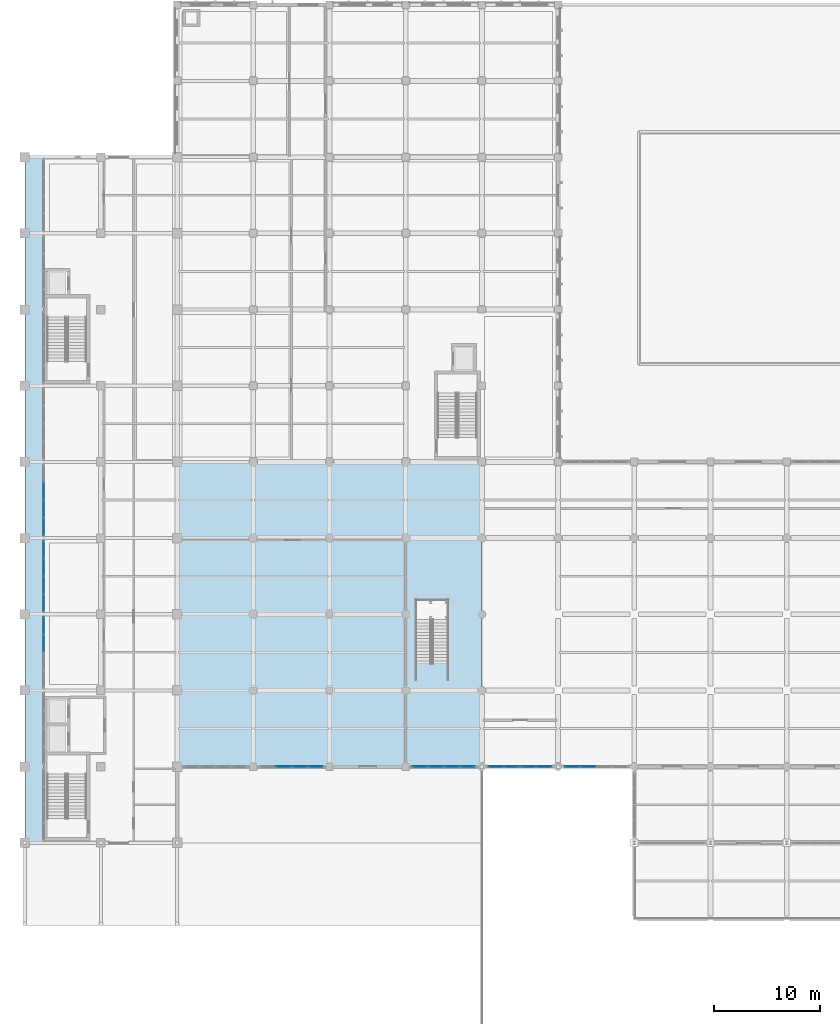
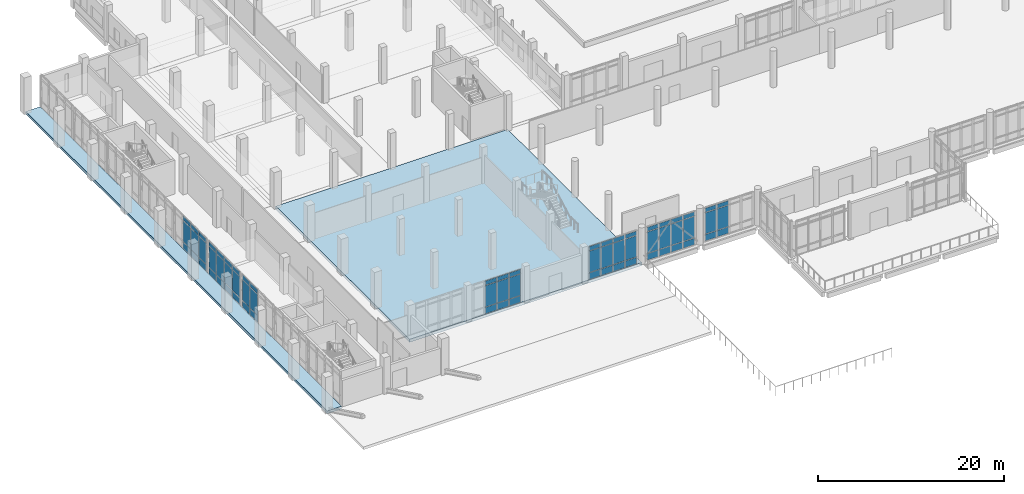
# One storey, part 28 of 59: 66 plates, 2 slabs, 7 elements without a shape of their own.
"""IFC4 building model written with IfcOpenShell, lengths in metres."""

from ifc_helpers import new_model, si_unit, direction, frame, origin, origin_2d, place, context, subcontext, project, spatial, polyline, rectangle, outline, extrude, material, layer, layer_set, type_object, element, aggregate, save


model = new_model("IFC4")

# Units and contexts
model_context = context("Model", 3, precision=1e-05, world=origin(), true_north=direction((0.0, 1.0)))
body_context = subcontext(model_context, "Body", "Model", "MODEL_VIEW")
ifc_project = project(units=[si_unit("LENGTHUNIT", "METRE"), si_unit("AREAUNIT", "SQUARE_METRE"), si_unit("VOLUMEUNIT", "CUBIC_METRE"), si_unit("PLANEANGLEUNIT", "RADIAN"), si_unit("MASSUNIT", "GRAM", prefix="KILO")], contexts=[model_context])

# Site, building, storey
site_placement = place(None, origin())
site = spatial("IfcSite", under=ifc_project, at=site_placement, CompositionType="ELEMENT")
building_placement = place(site_placement, origin())
building = spatial("IfcBuilding", under=site, at=building_placement, Name="Valkovuoma Quantum and Materials Research Institute", CompositionType="ELEMENT")
storey_placement = place(building_placement, origin())
storey = spatial("IfcBuildingStorey", under=building, at=storey_placement, Name="L00", CompositionType="ELEMENT", Elevation=0.0)

# Curtain wall, plates
ifc_material_1 = material(Name="Thermally broken aluminium and triple low-E glazing", Category="aluminium")
ifc_layer_1 = layer(ifc_material_1, 0.219970703125)
ifc_layer_set_1 = layer_set([ifc_layer_1], Name="Thermally broken aluminium and triple low-E glazing")
curtain_wall_type_1 = type_object("IfcCurtainWallType", Name="CW-CW-03", PredefinedType="NOTDEFINED", material=ifc_layer_set_1)
curtain_wall_1_placement = place(storey_placement, origin())
curtain_wall_1 = element("IfcCurtainWall", 1, at=curtain_wall_1_placement, inside=storey, type_object=curtain_wall_type_1, Name="L00 curtain wall 002", PredefinedType="NOTDEFINED")
ifc_material_2 = material(Name="Triple low-E argon insulating glass", Category="glass")
ifc_layer_2 = layer(ifc_material_2, 0.035888671875)
ifc_layer_set_2 = layer_set([ifc_layer_2], Name="Triple low-E argon insulating glass")
plate_type_1 = type_object("IfcPlateType", Name="CWPanel-CWP-01", PredefinedType="CURTAIN_PANEL", material=ifc_layer_set_2)
plate_1_placement = place(storey_placement, frame((1.800048828125, 47.64990234375, 0.06494140625), z_axis=(0.0, 0.0, 1.0), x_axis=(0.0, 1.0, 0.0)))
plate_1 = element("IfcPlate", 2, at=plate_1_placement, type_object=plate_type_1, Name="CW-03 panel 3.1", PredefinedType="CURTAIN_PANEL", context=body_context, shape_type="SweptSolid", body=[
    extrude(rectangle(XDim=1.625, YDim=0.035888671875, at=origin_2d()), origin(), (0.0, 0.0, 1.0), 0.8525390625),
])
plate_2_placement = place(storey_placement, frame((1.800048828125, 47.64990234375, 0.982421875), z_axis=(0.0, 0.0, 1.0), x_axis=(0.0, 1.0, 0.0)))
plate_2 = element("IfcPlate", 3, at=plate_2_placement, type_object=plate_type_1, Name="CW-03 panel 3.2", PredefinedType="CURTAIN_PANEL", context=body_context, shape_type="SweptSolid", body=[
    extrude(rectangle(XDim=1.625, YDim=0.035888671875, at=origin_2d()), origin(), (0.0, 0.0, 1.0), 2.735107421875),
])
plate_3_placement = place(storey_placement, frame((1.800048828125, 47.64990234375, 3.78271484375), z_axis=(0.0, 0.0, 1.0), x_axis=(0.0, 1.0, 0.0)))
plate_3 = element("IfcPlate", 4, at=plate_3_placement, type_object=plate_type_1, Name="CW-03 panel 3.3", PredefinedType="CURTAIN_PANEL", context=body_context, shape_type="SweptSolid", body=[
    extrude(rectangle(XDim=1.625, YDim=0.035888671875, at=origin_2d()), origin(), (0.0, 0.0, 1.0), 0.552490234375),
])
plate_4_placement = place(storey_placement, frame((1.800048828125, 49.331298828125, 0.06494140625), z_axis=(0.0, 0.0, 1.0), x_axis=(0.0, 1.0, 0.0)))
plate_4 = element("IfcPlate", 5, at=plate_4_placement, type_object=plate_type_1, Name="CW-03 panel 4.1", PredefinedType="CURTAIN_PANEL", context=body_context, shape_type="SweptSolid", body=[
    extrude(rectangle(XDim=1.58740234375, YDim=0.035888671875, at=origin_2d()), origin(), (0.0, 0.0, 1.0), 0.8525390625),
])
plate_5_placement = place(storey_placement, frame((1.800048828125, 49.331298828125, 0.982421875), z_axis=(0.0, 0.0, 1.0), x_axis=(0.0, 1.0, 0.0)))
plate_5 = element("IfcPlate", 6, at=plate_5_placement, type_object=plate_type_1, Name="CW-03 panel 4.2", PredefinedType="CURTAIN_PANEL", context=body_context, shape_type="SweptSolid", body=[
    extrude(rectangle(XDim=1.58740234375, YDim=0.035888671875, at=origin_2d()), origin(), (0.0, 0.0, 1.0), 2.735107421875),
])
plate_6_placement = place(storey_placement, frame((1.800048828125, 49.331298828125, 3.78271484375), z_axis=(0.0, 0.0, 1.0), x_axis=(0.0, 1.0, 0.0)))
plate_6 = element("IfcPlate", 7, at=plate_6_placement, type_object=plate_type_1, Name="CW-03 panel 4.3", PredefinedType="CURTAIN_PANEL", context=body_context, shape_type="SweptSolid", body=[
    extrude(rectangle(XDim=1.58740234375, YDim=0.035888671875, at=origin_2d()), origin(), (0.0, 0.0, 1.0), 0.552490234375),
])
aggregate(curtain_wall_1, [plate_1, plate_2, plate_3, plate_4, plate_5, plate_6])

curtain_wall_2_placement = place(storey_placement, origin())
curtain_wall_2 = element("IfcCurtainWall", 8, at=curtain_wall_2_placement, inside=storey, type_object=curtain_wall_type_1, Name="L00 curtain wall 003", PredefinedType="NOTDEFINED")
plate_7_placement = place(storey_placement, frame((1.800048828125, 51.46875, 0.06494140625), z_axis=(0.0, 0.0, 1.0), x_axis=(0.0, 1.0, 0.0)))
plate_7 = element("IfcPlate", 9, at=plate_7_placement, type_object=plate_type_1, Name="CW-03 panel 1.1", PredefinedType="CURTAIN_PANEL", context=body_context, shape_type="SweptSolid", body=[
    extrude(rectangle(XDim=1.58740234375, YDim=0.035888671875, at=origin_2d()), origin(), (0.0, 0.0, 1.0), 0.8525390625),
])
plate_8_placement = place(storey_placement, frame((1.800048828125, 51.46875, 0.982421875), z_axis=(0.0, 0.0, 1.0), x_axis=(0.0, 1.0, 0.0)))
plate_8 = element("IfcPlate", 10, at=plate_8_placement, type_object=plate_type_1, Name="CW-03 panel 1.2", PredefinedType="CURTAIN_PANEL", context=body_context, shape_type="SweptSolid", body=[
    extrude(rectangle(XDim=1.58740234375, YDim=0.035888671875, at=origin_2d()), origin(), (0.0, 0.0, 1.0), 2.735107421875),
])
plate_9_placement = place(storey_placement, frame((1.800048828125, 51.46875, 3.78271484375), z_axis=(0.0, 0.0, 1.0), x_axis=(0.0, 1.0, 0.0)))
plate_9 = element("IfcPlate", 11, at=plate_9_placement, type_object=plate_type_1, Name="CW-03 panel 1.3", PredefinedType="CURTAIN_PANEL", context=body_context, shape_type="SweptSolid", body=[
    extrude(rectangle(XDim=1.58740234375, YDim=0.035888671875, at=origin_2d()), origin(), (0.0, 0.0, 1.0), 0.552490234375),
])
plate_10_placement = place(storey_placement, frame((1.800048828125, 53.14990234375, 0.06494140625), z_axis=(0.0, 0.0, 1.0), x_axis=(0.0, 1.0, 0.0)))
plate_10 = element("IfcPlate", 12, at=plate_10_placement, type_object=plate_type_1, Name="CW-03 panel 2.1", PredefinedType="CURTAIN_PANEL", context=body_context, shape_type="SweptSolid", body=[
    extrude(rectangle(XDim=1.625, YDim=0.035888671875, at=origin_2d()), origin(), (0.0, 0.0, 1.0), 0.8525390625),
])
plate_11_placement = place(storey_placement, frame((1.800048828125, 53.14990234375, 0.982421875), z_axis=(0.0, 0.0, 1.0), x_axis=(0.0, 1.0, 0.0)))
plate_11 = element("IfcPlate", 13, at=plate_11_placement, type_object=plate_type_1, Name="CW-03 panel 2.2", PredefinedType="CURTAIN_PANEL", context=body_context, shape_type="SweptSolid", body=[
    extrude(rectangle(XDim=1.625, YDim=0.035888671875, at=origin_2d()), origin(), (0.0, 0.0, 1.0), 2.735107421875),
])
plate_12_placement = place(storey_placement, frame((1.800048828125, 53.14990234375, 3.78271484375), z_axis=(0.0, 0.0, 1.0), x_axis=(0.0, 1.0, 0.0)))
plate_12 = element("IfcPlate", 14, at=plate_12_placement, type_object=plate_type_1, Name="CW-03 panel 2.3", PredefinedType="CURTAIN_PANEL", context=body_context, shape_type="SweptSolid", body=[
    extrude(rectangle(XDim=1.625, YDim=0.035888671875, at=origin_2d()), origin(), (0.0, 0.0, 1.0), 0.552490234375),
])
plate_13_placement = place(storey_placement, frame((1.800048828125, 54.85009765625, 0.06494140625), z_axis=(0.0, 0.0, 1.0), x_axis=(0.0, 1.0, 0.0)))
plate_13 = element("IfcPlate", 15, at=plate_13_placement, type_object=plate_type_1, Name="CW-03 panel 3.1", PredefinedType="CURTAIN_PANEL", context=body_context, shape_type="SweptSolid", body=[
    extrude(rectangle(XDim=1.625, YDim=0.035888671875, at=origin_2d()), origin(), (0.0, 0.0, 1.0), 0.8525390625),
])
plate_14_placement = place(storey_placement, frame((1.800048828125, 54.85009765625, 0.982421875), z_axis=(0.0, 0.0, 1.0), x_axis=(0.0, 1.0, 0.0)))
plate_14 = element("IfcPlate", 16, at=plate_14_placement, type_object=plate_type_1, Name="CW-03 panel 3.2", PredefinedType="CURTAIN_PANEL", context=body_context, shape_type="SweptSolid", body=[
    extrude(rectangle(XDim=1.625, YDim=0.035888671875, at=origin_2d()), origin(), (0.0, 0.0, 1.0), 2.735107421875),
])
plate_15_placement = place(storey_placement, frame((1.800048828125, 54.85009765625, 3.78271484375), z_axis=(0.0, 0.0, 1.0), x_axis=(0.0, 1.0, 0.0)))
plate_15 = element("IfcPlate", 17, at=plate_15_placement, type_object=plate_type_1, Name="CW-03 panel 3.3", PredefinedType="CURTAIN_PANEL", context=body_context, shape_type="SweptSolid", body=[
    extrude(rectangle(XDim=1.625, YDim=0.035888671875, at=origin_2d()), origin(), (0.0, 0.0, 1.0), 0.552490234375),
])
plate_16_placement = place(storey_placement, frame((1.800048828125, 56.53125, 0.06494140625), z_axis=(0.0, 0.0, 1.0), x_axis=(0.0, 1.0, 0.0)))
plate_16 = element("IfcPlate", 18, at=plate_16_placement, type_object=plate_type_1, Name="CW-03 panel 4.1", PredefinedType="CURTAIN_PANEL", context=body_context, shape_type="SweptSolid", body=[
    extrude(rectangle(XDim=1.58740234375, YDim=0.035888671875, at=origin_2d()), origin(), (0.0, 0.0, 1.0), 0.8525390625),
])
plate_17_placement = place(storey_placement, frame((1.800048828125, 56.53125, 0.982421875), z_axis=(0.0, 0.0, 1.0), x_axis=(0.0, 1.0, 0.0)))
plate_17 = element("IfcPlate", 19, at=plate_17_placement, type_object=plate_type_1, Name="CW-03 panel 4.2", PredefinedType="CURTAIN_PANEL", context=body_context, shape_type="SweptSolid", body=[
    extrude(rectangle(XDim=1.58740234375, YDim=0.035888671875, at=origin_2d()), origin(), (0.0, 0.0, 1.0), 2.735107421875),
])
plate_18_placement = place(storey_placement, frame((1.800048828125, 56.53125, 3.78271484375), z_axis=(0.0, 0.0, 1.0), x_axis=(0.0, 1.0, 0.0)))
plate_18 = element("IfcPlate", 20, at=plate_18_placement, type_object=plate_type_1, Name="CW-03 panel 4.3", PredefinedType="CURTAIN_PANEL", context=body_context, shape_type="SweptSolid", body=[
    extrude(rectangle(XDim=1.58740234375, YDim=0.035888671875, at=origin_2d()), origin(), (0.0, 0.0, 1.0), 0.552490234375),
])
aggregate(curtain_wall_2, [plate_7, plate_8, plate_9, plate_10, plate_11, plate_12, plate_13, plate_14, plate_15, plate_16, plate_17, plate_18])

curtain_wall_3_placement = place(storey_placement, origin())
curtain_wall_3 = element("IfcCurtainWall", 21, at=curtain_wall_3_placement, inside=storey, type_object=curtain_wall_type_1, Name="L00 curtain wall 004", PredefinedType="NOTDEFINED")
plate_19_placement = place(storey_placement, frame((1.800048828125, 58.668701171875, 0.06494140625), z_axis=(0.0, 0.0, 1.0), x_axis=(0.0, 1.0, 0.0)))
plate_19 = element("IfcPlate", 22, at=plate_19_placement, type_object=plate_type_1, Name="CW-03 panel 1.1", PredefinedType="CURTAIN_PANEL", context=body_context, shape_type="SweptSolid", body=[
    extrude(rectangle(XDim=1.58740234375, YDim=0.035888671875, at=origin_2d()), origin(), (0.0, 0.0, 1.0), 0.8525390625),
])
plate_20_placement = place(storey_placement, frame((1.800048828125, 58.668701171875, 0.982421875), z_axis=(0.0, 0.0, 1.0), x_axis=(0.0, 1.0, 0.0)))
plate_20 = element("IfcPlate", 23, at=plate_20_placement, type_object=plate_type_1, Name="CW-03 panel 1.2", PredefinedType="CURTAIN_PANEL", context=body_context, shape_type="SweptSolid", body=[
    extrude(rectangle(XDim=1.58740234375, YDim=0.035888671875, at=origin_2d()), origin(), (0.0, 0.0, 1.0), 2.735107421875),
])
plate_21_placement = place(storey_placement, frame((1.800048828125, 58.668701171875, 3.78271484375), z_axis=(0.0, 0.0, 1.0), x_axis=(0.0, 1.0, 0.0)))
plate_21 = element("IfcPlate", 24, at=plate_21_placement, type_object=plate_type_1, Name="CW-03 panel 1.3", PredefinedType="CURTAIN_PANEL", context=body_context, shape_type="SweptSolid", body=[
    extrude(rectangle(XDim=1.58740234375, YDim=0.035888671875, at=origin_2d()), origin(), (0.0, 0.0, 1.0), 0.552490234375),
])
plate_22_placement = place(storey_placement, frame((1.800048828125, 60.35009765625, 0.06494140625), z_axis=(0.0, 0.0, 1.0), x_axis=(0.0, 1.0, 0.0)))
plate_22 = element("IfcPlate", 25, at=plate_22_placement, type_object=plate_type_1, Name="CW-03 panel 2.1", PredefinedType="CURTAIN_PANEL", context=body_context, shape_type="SweptSolid", body=[
    extrude(rectangle(XDim=1.625, YDim=0.035888671875, at=origin_2d()), origin(), (0.0, 0.0, 1.0), 0.8525390625),
])
plate_23_placement = place(storey_placement, frame((1.800048828125, 60.35009765625, 0.982421875), z_axis=(0.0, 0.0, 1.0), x_axis=(0.0, 1.0, 0.0)))
plate_23 = element("IfcPlate", 26, at=plate_23_placement, type_object=plate_type_1, Name="CW-03 panel 2.2", PredefinedType="CURTAIN_PANEL", context=body_context, shape_type="SweptSolid", body=[
    extrude(rectangle(XDim=1.625, YDim=0.035888671875, at=origin_2d()), origin(), (0.0, 0.0, 1.0), 2.735107421875),
])
plate_24_placement = place(storey_placement, frame((1.800048828125, 60.35009765625, 3.78271484375), z_axis=(0.0, 0.0, 1.0), x_axis=(0.0, 1.0, 0.0)))
plate_24 = element("IfcPlate", 27, at=plate_24_placement, type_object=plate_type_1, Name="CW-03 panel 2.3", PredefinedType="CURTAIN_PANEL", context=body_context, shape_type="SweptSolid", body=[
    extrude(rectangle(XDim=1.625, YDim=0.035888671875, at=origin_2d()), origin(), (0.0, 0.0, 1.0), 0.552490234375),
])
plate_25_placement = place(storey_placement, frame((1.800048828125, 62.050048828125, 0.06494140625), z_axis=(0.0, 0.0, 1.0), x_axis=(0.0, 1.0, 0.0)))
plate_25 = element("IfcPlate", 28, at=plate_25_placement, type_object=plate_type_1, Name="CW-03 panel 3.1", PredefinedType="CURTAIN_PANEL", context=body_context, shape_type="SweptSolid", body=[
    extrude(rectangle(XDim=1.625, YDim=0.035888671875, at=origin_2d()), origin(), (0.0, 0.0, 1.0), 0.8525390625),
])
plate_26_placement = place(storey_placement, frame((1.800048828125, 62.050048828125, 0.982421875), z_axis=(0.0, 0.0, 1.0), x_axis=(0.0, 1.0, 0.0)))
plate_26 = element("IfcPlate", 29, at=plate_26_placement, type_object=plate_type_1, Name="CW-03 panel 3.2", PredefinedType="CURTAIN_PANEL", context=body_context, shape_type="SweptSolid", body=[
    extrude(rectangle(XDim=1.625, YDim=0.035888671875, at=origin_2d()), origin(), (0.0, 0.0, 1.0), 2.735107421875),
])
plate_27_placement = place(storey_placement, frame((1.800048828125, 62.050048828125, 3.78271484375), z_axis=(0.0, 0.0, 1.0), x_axis=(0.0, 1.0, 0.0)))
plate_27 = element("IfcPlate", 30, at=plate_27_placement, type_object=plate_type_1, Name="CW-03 panel 3.3", PredefinedType="CURTAIN_PANEL", context=body_context, shape_type="SweptSolid", body=[
    extrude(rectangle(XDim=1.625, YDim=0.035888671875, at=origin_2d()), origin(), (0.0, 0.0, 1.0), 0.552490234375),
])
aggregate(curtain_wall_3, [plate_19, plate_20, plate_21, plate_22, plate_23, plate_24, plate_25, plate_26, plate_27])

ifc_material_3 = material(Name="Thermally broken aluminium and triple low-E glazing", Category="aluminium")
ifc_layer_3 = layer(ifc_material_3, 0.219970703125)
ifc_layer_set_3 = layer_set([ifc_layer_3], Name="Thermally broken aluminium and triple low-E glazing")
curtain_wall_type_2 = type_object("IfcCurtainWallType", Name="CW-CW-02", PredefinedType="NOTDEFINED", material=ifc_layer_set_3)
curtain_wall_4_placement = place(storey_placement, origin())
curtain_wall_4 = element("IfcCurtainWall", 31, at=curtain_wall_4_placement, inside=storey, type_object=curtain_wall_type_2, Name="L00 curtain wall 148", PredefinedType="NOTDEFINED")
ifc_material_4 = material(Name="Triple low-E argon insulating glass", Category="glass")
ifc_layer_4 = layer(ifc_material_4, 0.048095703125)
ifc_layer_set_4 = layer_set([ifc_layer_4], Name="Triple low-E argon insulating glass")
plate_type_2 = type_object("IfcPlateType", Name="CWPanel-CWP-03", PredefinedType="CURTAIN_PANEL", material=ifc_layer_set_4)
plate_28_placement = place(storey_placement, frame((24.445068359375, 36.0, 0.074951171875), z_axis=(0.0, 0.0, 1.0), x_axis=(1.0, 0.0, 0.0)))
plate_28 = element("IfcPlate", 32, at=plate_28_placement, type_object=plate_type_2, Name="CW-02 panel 2.1", PredefinedType="CURTAIN_PANEL", context=body_context, shape_type="SweptSolid", body=[
    extrude(rectangle(XDim=1.429931640625, YDim=0.048095703125, at=origin_2d()), origin(), (0.0, 0.0, 1.0), 0.83740234375),
])
plate_29_placement = place(storey_placement, frame((24.445068359375, 36.0, 0.987548828125), z_axis=(0.0, 0.0, 1.0), x_axis=(1.0, 0.0, 0.0)))
plate_29 = element("IfcPlate", 33, at=plate_29_placement, type_object=plate_type_2, Name="CW-02 panel 2.2", PredefinedType="CURTAIN_PANEL", context=body_context, shape_type="SweptSolid", body=[
    extrude(rectangle(XDim=1.429931640625, YDim=0.048095703125, at=origin_2d()), origin(), (0.0, 0.0, 1.0), 2.77490234375),
])
plate_30_placement = place(storey_placement, frame((24.445068359375, 36.0, 3.83740234375), z_axis=(0.0, 0.0, 1.0), x_axis=(1.0, 0.0, 0.0)))
plate_30 = element("IfcPlate", 34, at=plate_30_placement, type_object=plate_type_2, Name="CW-02 panel 2.3", PredefinedType="CURTAIN_PANEL", context=body_context, shape_type="SweptSolid", body=[
    extrude(rectangle(XDim=1.429931640625, YDim=0.048095703125, at=origin_2d()), origin(), (0.0, 0.0, 1.0), 0.53759765625),
])
plate_31_placement = place(storey_placement, frame((25.955078125, 36.0, 0.074951171875), z_axis=(0.0, 0.0, 1.0), x_axis=(1.0, 0.0, 0.0)))
plate_31 = element("IfcPlate", 35, at=plate_31_placement, type_object=plate_type_2, Name="CW-02 panel 3.1", PredefinedType="CURTAIN_PANEL", context=body_context, shape_type="SweptSolid", body=[
    extrude(rectangle(XDim=1.429931640625, YDim=0.048095703125, at=origin_2d()), origin(), (0.0, 0.0, 1.0), 0.83740234375),
])
plate_32_placement = place(storey_placement, frame((25.955078125, 36.0, 0.987548828125), z_axis=(0.0, 0.0, 1.0), x_axis=(1.0, 0.0, 0.0)))
plate_32 = element("IfcPlate", 36, at=plate_32_placement, type_object=plate_type_2, Name="CW-02 panel 3.2", PredefinedType="CURTAIN_PANEL", context=body_context, shape_type="SweptSolid", body=[
    extrude(rectangle(XDim=1.429931640625, YDim=0.048095703125, at=origin_2d()), origin(), (0.0, 0.0, 1.0), 2.77490234375),
])
plate_33_placement = place(storey_placement, frame((25.955078125, 36.0, 3.83740234375), z_axis=(0.0, 0.0, 1.0), x_axis=(1.0, 0.0, 0.0)))
plate_33 = element("IfcPlate", 37, at=plate_33_placement, type_object=plate_type_2, Name="CW-02 panel 3.3", PredefinedType="CURTAIN_PANEL", context=body_context, shape_type="SweptSolid", body=[
    extrude(rectangle(XDim=1.429931640625, YDim=0.048095703125, at=origin_2d()), origin(), (0.0, 0.0, 1.0), 0.53759765625),
])
plate_34_placement = place(storey_placement, frame((27.445068359375, 36.0, 0.074951171875), z_axis=(0.0, 0.0, 1.0), x_axis=(1.0, 0.0, 0.0)))
plate_34 = element("IfcPlate", 38, at=plate_34_placement, type_object=plate_type_2, Name="CW-02 panel 4.1", PredefinedType="CURTAIN_PANEL", context=body_context, shape_type="SweptSolid", body=[
    extrude(rectangle(XDim=1.389892578125, YDim=0.048095703125, at=origin_2d()), origin(), (0.0, 0.0, 1.0), 0.83740234375),
])
plate_35_placement = place(storey_placement, frame((27.445068359375, 36.0, 0.987548828125), z_axis=(0.0, 0.0, 1.0), x_axis=(1.0, 0.0, 0.0)))
plate_35 = element("IfcPlate", 39, at=plate_35_placement, type_object=plate_type_2, Name="CW-02 panel 4.2", PredefinedType="CURTAIN_PANEL", context=body_context, shape_type="SweptSolid", body=[
    extrude(rectangle(XDim=1.389892578125, YDim=0.048095703125, at=origin_2d()), origin(), (0.0, 0.0, 1.0), 2.77490234375),
])
plate_36_placement = place(storey_placement, frame((27.445068359375, 36.0, 3.83740234375), z_axis=(0.0, 0.0, 1.0), x_axis=(1.0, 0.0, 0.0)))
plate_36 = element("IfcPlate", 40, at=plate_36_placement, type_object=plate_type_2, Name="CW-02 panel 4.3", PredefinedType="CURTAIN_PANEL", context=body_context, shape_type="SweptSolid", body=[
    extrude(rectangle(XDim=1.389892578125, YDim=0.048095703125, at=origin_2d()), origin(), (0.0, 0.0, 1.0), 0.53759765625),
])
aggregate(curtain_wall_4, [plate_28, plate_29, plate_30, plate_31, plate_32, plate_33, plate_34, plate_35, plate_36])

curtain_wall_5_placement = place(storey_placement, origin())
curtain_wall_5 = element("IfcCurtainWall", 41, at=curtain_wall_5_placement, inside=storey, type_object=curtain_wall_type_2, Name="L00 curtain wall 149", PredefinedType="NOTDEFINED")
plate_37_placement = place(storey_placement, frame((37.35498046875, 36.0, 0.074951171875), z_axis=(0.0, 0.0, 1.0), x_axis=(1.0, 0.0, 0.0)))
plate_37 = element("IfcPlate", 42, at=plate_37_placement, type_object=plate_type_2, Name="CW-02 panel 1.1", PredefinedType="CURTAIN_PANEL", context=body_context, shape_type="SweptSolid", body=[
    extrude(rectangle(XDim=1.389892578125, YDim=0.048095703125, at=origin_2d()), origin(), (0.0, 0.0, 1.0), 0.83740234375),
])
plate_38_placement = place(storey_placement, frame((37.35498046875, 36.0, 0.987548828125), z_axis=(0.0, 0.0, 1.0), x_axis=(1.0, 0.0, 0.0)))
plate_38 = element("IfcPlate", 43, at=plate_38_placement, type_object=plate_type_2, Name="CW-02 panel 1.2", PredefinedType="CURTAIN_PANEL", context=body_context, shape_type="SweptSolid", body=[
    extrude(rectangle(XDim=1.389892578125, YDim=0.048095703125, at=origin_2d()), origin(), (0.0, 0.0, 1.0), 2.77490234375),
])
plate_39_placement = place(storey_placement, frame((37.35498046875, 36.0, 3.83740234375), z_axis=(0.0, 0.0, 1.0), x_axis=(1.0, 0.0, 0.0)))
plate_39 = element("IfcPlate", 44, at=plate_39_placement, type_object=plate_type_2, Name="CW-02 panel 1.3", PredefinedType="CURTAIN_PANEL", context=body_context, shape_type="SweptSolid", body=[
    extrude(rectangle(XDim=1.389892578125, YDim=0.048095703125, at=origin_2d()), origin(), (0.0, 0.0, 1.0), 0.53759765625),
])
plate_40_placement = place(storey_placement, frame((38.844970703125, 36.0, 0.074951171875), z_axis=(0.0, 0.0, 1.0), x_axis=(1.0, 0.0, 0.0)))
plate_40 = element("IfcPlate", 45, at=plate_40_placement, type_object=plate_type_2, Name="CW-02 panel 2.1", PredefinedType="CURTAIN_PANEL", context=body_context, shape_type="SweptSolid", body=[
    extrude(rectangle(XDim=1.429931640625, YDim=0.048095703125, at=origin_2d()), origin(), (0.0, 0.0, 1.0), 0.83740234375),
])
plate_41_placement = place(storey_placement, frame((38.844970703125, 36.0, 0.987548828125), z_axis=(0.0, 0.0, 1.0), x_axis=(1.0, 0.0, 0.0)))
plate_41 = element("IfcPlate", 46, at=plate_41_placement, type_object=plate_type_2, Name="CW-02 panel 2.2", PredefinedType="CURTAIN_PANEL", context=body_context, shape_type="SweptSolid", body=[
    extrude(rectangle(XDim=1.429931640625, YDim=0.048095703125, at=origin_2d()), origin(), (0.0, 0.0, 1.0), 2.77490234375),
])
plate_42_placement = place(storey_placement, frame((38.844970703125, 36.0, 3.83740234375), z_axis=(0.0, 0.0, 1.0), x_axis=(1.0, 0.0, 0.0)))
plate_42 = element("IfcPlate", 47, at=plate_42_placement, type_object=plate_type_2, Name="CW-02 panel 2.3", PredefinedType="CURTAIN_PANEL", context=body_context, shape_type="SweptSolid", body=[
    extrude(rectangle(XDim=1.429931640625, YDim=0.048095703125, at=origin_2d()), origin(), (0.0, 0.0, 1.0), 0.53759765625),
])
plate_43_placement = place(storey_placement, frame((40.35498046875, 36.0, 0.074951171875), z_axis=(0.0, 0.0, 1.0), x_axis=(1.0, 0.0, 0.0)))
plate_43 = element("IfcPlate", 48, at=plate_43_placement, type_object=plate_type_2, Name="CW-02 panel 3.1", PredefinedType="CURTAIN_PANEL", context=body_context, shape_type="SweptSolid", body=[
    extrude(rectangle(XDim=1.429931640625, YDim=0.048095703125, at=origin_2d()), origin(), (0.0, 0.0, 1.0), 0.83740234375),
])
plate_44_placement = place(storey_placement, frame((40.35498046875, 36.0, 0.987548828125), z_axis=(0.0, 0.0, 1.0), x_axis=(1.0, 0.0, 0.0)))
plate_44 = element("IfcPlate", 49, at=plate_44_placement, type_object=plate_type_2, Name="CW-02 panel 3.2", PredefinedType="CURTAIN_PANEL", context=body_context, shape_type="SweptSolid", body=[
    extrude(rectangle(XDim=1.429931640625, YDim=0.048095703125, at=origin_2d()), origin(), (0.0, 0.0, 1.0), 2.77490234375),
])
plate_45_placement = place(storey_placement, frame((40.35498046875, 36.0, 3.83740234375), z_axis=(0.0, 0.0, 1.0), x_axis=(1.0, 0.0, 0.0)))
plate_45 = element("IfcPlate", 50, at=plate_45_placement, type_object=plate_type_2, Name="CW-02 panel 3.3", PredefinedType="CURTAIN_PANEL", context=body_context, shape_type="SweptSolid", body=[
    extrude(rectangle(XDim=1.429931640625, YDim=0.048095703125, at=origin_2d()), origin(), (0.0, 0.0, 1.0), 0.53759765625),
])
plate_46_placement = place(storey_placement, frame((41.844970703125, 36.0, 0.074951171875), z_axis=(0.0, 0.0, 1.0), x_axis=(1.0, 0.0, 0.0)))
plate_46 = element("IfcPlate", 51, at=plate_46_placement, type_object=plate_type_2, Name="CW-02 panel 4.1", PredefinedType="CURTAIN_PANEL", context=body_context, shape_type="SweptSolid", body=[
    extrude(rectangle(XDim=1.389892578125, YDim=0.048095703125, at=origin_2d()), origin(), (0.0, 0.0, 1.0), 0.83740234375),
])
plate_47_placement = place(storey_placement, frame((41.844970703125, 36.0, 0.987548828125), z_axis=(0.0, 0.0, 1.0), x_axis=(1.0, 0.0, 0.0)))
plate_47 = element("IfcPlate", 52, at=plate_47_placement, type_object=plate_type_2, Name="CW-02 panel 4.2", PredefinedType="CURTAIN_PANEL", context=body_context, shape_type="SweptSolid", body=[
    extrude(rectangle(XDim=1.389892578125, YDim=0.048095703125, at=origin_2d()), origin(), (0.0, 0.0, 1.0), 2.77490234375),
])
plate_48_placement = place(storey_placement, frame((41.844970703125, 36.0, 3.83740234375), z_axis=(0.0, 0.0, 1.0), x_axis=(1.0, 0.0, 0.0)))
plate_48 = element("IfcPlate", 53, at=plate_48_placement, type_object=plate_type_2, Name="CW-02 panel 4.3", PredefinedType="CURTAIN_PANEL", context=body_context, shape_type="SweptSolid", body=[
    extrude(rectangle(XDim=1.389892578125, YDim=0.048095703125, at=origin_2d()), origin(), (0.0, 0.0, 1.0), 0.53759765625),
])
aggregate(curtain_wall_5, [plate_37, plate_38, plate_39, plate_40, plate_41, plate_42, plate_43, plate_44, plate_45, plate_46, plate_47, plate_48])

curtain_wall_6_placement = place(storey_placement, origin())
curtain_wall_6 = element("IfcCurtainWall", 54, at=curtain_wall_6_placement, inside=storey, type_object=curtain_wall_type_2, Name="L00 curtain wall 150", PredefinedType="NOTDEFINED")
plate_49_placement = place(storey_placement, frame((44.554931640625, 36.0, 0.074951171875), z_axis=(0.0, 0.0, 1.0), x_axis=(1.0, 0.0, 0.0)))
plate_49 = element("IfcPlate", 55, at=plate_49_placement, type_object=plate_type_2, Name="CW-02 panel 1.1", PredefinedType="CURTAIN_PANEL", context=body_context, shape_type="SweptSolid", body=[
    extrude(rectangle(XDim=1.389892578125, YDim=0.048095703125, at=origin_2d()), origin(), (0.0, 0.0, 1.0), 0.83740234375),
])
plate_50_placement = place(storey_placement, frame((44.554931640625, 36.0, 0.987548828125), z_axis=(0.0, 0.0, 1.0), x_axis=(1.0, 0.0, 0.0)))
plate_50 = element("IfcPlate", 56, at=plate_50_placement, type_object=plate_type_2, Name="CW-02 panel 1.2", PredefinedType="CURTAIN_PANEL", context=body_context, shape_type="SweptSolid", body=[
    extrude(rectangle(XDim=1.389892578125, YDim=0.048095703125, at=origin_2d()), origin(), (0.0, 0.0, 1.0), 2.77490234375),
])
plate_51_placement = place(storey_placement, frame((44.554931640625, 36.0, 3.83740234375), z_axis=(0.0, 0.0, 1.0), x_axis=(1.0, 0.0, 0.0)))
plate_51 = element("IfcPlate", 57, at=plate_51_placement, type_object=plate_type_2, Name="CW-02 panel 1.3", PredefinedType="CURTAIN_PANEL", context=body_context, shape_type="SweptSolid", body=[
    extrude(rectangle(XDim=1.389892578125, YDim=0.048095703125, at=origin_2d()), origin(), (0.0, 0.0, 1.0), 0.53759765625),
])
plate_52_placement = place(storey_placement, frame((46.044921875, 36.0, 0.074951171875), z_axis=(0.0, 0.0, 1.0), x_axis=(1.0, 0.0, 0.0)))
plate_52 = element("IfcPlate", 58, at=plate_52_placement, type_object=plate_type_2, Name="CW-02 panel 2.1", PredefinedType="CURTAIN_PANEL", context=body_context, shape_type="SweptSolid", body=[
    extrude(rectangle(XDim=1.429931640625, YDim=0.048095703125, at=origin_2d()), origin(), (0.0, 0.0, 1.0), 0.83740234375),
])
plate_53_placement = place(storey_placement, frame((46.044921875, 36.0, 0.987548828125), z_axis=(0.0, 0.0, 1.0), x_axis=(1.0, 0.0, 0.0)))
plate_53 = element("IfcPlate", 59, at=plate_53_placement, type_object=plate_type_2, Name="CW-02 panel 2.2", PredefinedType="CURTAIN_PANEL", context=body_context, shape_type="SweptSolid", body=[
    extrude(rectangle(XDim=1.429931640625, YDim=0.048095703125, at=origin_2d()), origin(), (0.0, 0.0, 1.0), 2.77490234375),
])
plate_54_placement = place(storey_placement, frame((46.044921875, 36.0, 3.83740234375), z_axis=(0.0, 0.0, 1.0), x_axis=(1.0, 0.0, 0.0)))
plate_54 = element("IfcPlate", 60, at=plate_54_placement, type_object=plate_type_2, Name="CW-02 panel 2.3", PredefinedType="CURTAIN_PANEL", context=body_context, shape_type="SweptSolid", body=[
    extrude(rectangle(XDim=1.429931640625, YDim=0.048095703125, at=origin_2d()), origin(), (0.0, 0.0, 1.0), 0.53759765625),
])
plate_55_placement = place(storey_placement, frame((47.554931640625, 36.0, 0.074951171875), z_axis=(0.0, 0.0, 1.0), x_axis=(1.0, 0.0, 0.0)))
plate_55 = element("IfcPlate", 61, at=plate_55_placement, type_object=plate_type_2, Name="CW-02 panel 3.1", PredefinedType="CURTAIN_PANEL", context=body_context, shape_type="SweptSolid", body=[
    extrude(rectangle(XDim=1.429931640625, YDim=0.048095703125, at=origin_2d()), origin(), (0.0, 0.0, 1.0), 0.83740234375),
])
plate_56_placement = place(storey_placement, frame((47.554931640625, 36.0, 0.987548828125), z_axis=(0.0, 0.0, 1.0), x_axis=(1.0, 0.0, 0.0)))
plate_56 = element("IfcPlate", 62, at=plate_56_placement, type_object=plate_type_2, Name="CW-02 panel 3.2", PredefinedType="CURTAIN_PANEL", context=body_context, shape_type="SweptSolid", body=[
    extrude(rectangle(XDim=1.429931640625, YDim=0.048095703125, at=origin_2d()), origin(), (0.0, 0.0, 1.0), 2.77490234375),
])
plate_57_placement = place(storey_placement, frame((47.554931640625, 36.0, 3.83740234375), z_axis=(0.0, 0.0, 1.0), x_axis=(1.0, 0.0, 0.0)))
plate_57 = element("IfcPlate", 63, at=plate_57_placement, type_object=plate_type_2, Name="CW-02 panel 3.3", PredefinedType="CURTAIN_PANEL", context=body_context, shape_type="SweptSolid", body=[
    extrude(rectangle(XDim=1.429931640625, YDim=0.048095703125, at=origin_2d()), origin(), (0.0, 0.0, 1.0), 0.53759765625),
])
plate_58_placement = place(storey_placement, frame((49.044921875, 36.0, 0.074951171875), z_axis=(0.0, 0.0, 1.0), x_axis=(1.0, 0.0, 0.0)))
plate_58 = element("IfcPlate", 64, at=plate_58_placement, type_object=plate_type_2, Name="CW-02 panel 4.1", PredefinedType="CURTAIN_PANEL", context=body_context, shape_type="SweptSolid", body=[
    extrude(rectangle(XDim=1.389892578125, YDim=0.048095703125, at=origin_2d()), origin(), (0.0, 0.0, 1.0), 0.83740234375),
])
plate_59_placement = place(storey_placement, frame((49.044921875, 36.0, 0.987548828125), z_axis=(0.0, 0.0, 1.0), x_axis=(1.0, 0.0, 0.0)))
plate_59 = element("IfcPlate", 65, at=plate_59_placement, type_object=plate_type_2, Name="CW-02 panel 4.2", PredefinedType="CURTAIN_PANEL", context=body_context, shape_type="SweptSolid", body=[
    extrude(rectangle(XDim=1.389892578125, YDim=0.048095703125, at=origin_2d()), origin(), (0.0, 0.0, 1.0), 2.77490234375),
])
plate_60_placement = place(storey_placement, frame((49.044921875, 36.0, 3.83740234375), z_axis=(0.0, 0.0, 1.0), x_axis=(1.0, 0.0, 0.0)))
plate_60 = element("IfcPlate", 66, at=plate_60_placement, type_object=plate_type_2, Name="CW-02 panel 4.3", PredefinedType="CURTAIN_PANEL", context=body_context, shape_type="SweptSolid", body=[
    extrude(rectangle(XDim=1.389892578125, YDim=0.048095703125, at=origin_2d()), origin(), (0.0, 0.0, 1.0), 0.53759765625),
])
aggregate(curtain_wall_6, [plate_49, plate_50, plate_51, plate_52, plate_53, plate_54, plate_55, plate_56, plate_57, plate_58, plate_59, plate_60])

curtain_wall_7_placement = place(storey_placement, origin())
curtain_wall_7 = element("IfcCurtainWall", 67, at=curtain_wall_7_placement, inside=storey, type_object=curtain_wall_type_2, Name="L00 curtain wall 151", PredefinedType="NOTDEFINED")
plate_61_placement = place(storey_placement, frame((51.7548828125, 36.0, 0.074951171875), z_axis=(0.0, 0.0, 1.0), x_axis=(1.0, 0.0, 0.0)))
plate_61 = element("IfcPlate", 68, at=plate_61_placement, type_object=plate_type_2, Name="CW-02 panel 1.1", PredefinedType="CURTAIN_PANEL", context=body_context, shape_type="SweptSolid", body=[
    extrude(rectangle(XDim=1.389892578125, YDim=0.048095703125, at=origin_2d()), origin(), (0.0, 0.0, 1.0), 0.83740234375),
])
plate_62_placement = place(storey_placement, frame((51.7548828125, 36.0, 0.987548828125), z_axis=(0.0, 0.0, 1.0), x_axis=(1.0, 0.0, 0.0)))
plate_62 = element("IfcPlate", 69, at=plate_62_placement, type_object=plate_type_2, Name="CW-02 panel 1.2", PredefinedType="CURTAIN_PANEL", context=body_context, shape_type="SweptSolid", body=[
    extrude(rectangle(XDim=1.389892578125, YDim=0.048095703125, at=origin_2d()), origin(), (0.0, 0.0, 1.0), 2.77490234375),
])
plate_63_placement = place(storey_placement, frame((51.7548828125, 36.0, 3.83740234375), z_axis=(0.0, 0.0, 1.0), x_axis=(1.0, 0.0, 0.0)))
plate_63 = element("IfcPlate", 70, at=plate_63_placement, type_object=plate_type_2, Name="CW-02 panel 1.3", PredefinedType="CURTAIN_PANEL", context=body_context, shape_type="SweptSolid", body=[
    extrude(rectangle(XDim=1.389892578125, YDim=0.048095703125, at=origin_2d()), origin(), (0.0, 0.0, 1.0), 0.53759765625),
])
plate_64_placement = place(storey_placement, frame((53.2451171875, 36.0, 0.074951171875), z_axis=(0.0, 0.0, 1.0), x_axis=(1.0, 0.0, 0.0)))
plate_64 = element("IfcPlate", 71, at=plate_64_placement, type_object=plate_type_2, Name="CW-02 panel 2.1", PredefinedType="CURTAIN_PANEL", context=body_context, shape_type="SweptSolid", body=[
    extrude(rectangle(XDim=1.429931640625, YDim=0.048095703125, at=origin_2d()), origin(), (0.0, 0.0, 1.0), 0.83740234375),
])
plate_65_placement = place(storey_placement, frame((53.2451171875, 36.0, 0.987548828125), z_axis=(0.0, 0.0, 1.0), x_axis=(1.0, 0.0, 0.0)))
plate_65 = element("IfcPlate", 72, at=plate_65_placement, type_object=plate_type_2, Name="CW-02 panel 2.2", PredefinedType="CURTAIN_PANEL", context=body_context, shape_type="SweptSolid", body=[
    extrude(rectangle(XDim=1.429931640625, YDim=0.048095703125, at=origin_2d()), origin(), (0.0, 0.0, 1.0), 2.77490234375),
])
plate_66_placement = place(storey_placement, frame((53.2451171875, 36.0, 3.83740234375), z_axis=(0.0, 0.0, 1.0), x_axis=(1.0, 0.0, 0.0)))
plate_66 = element("IfcPlate", 73, at=plate_66_placement, type_object=plate_type_2, Name="CW-02 panel 2.3", PredefinedType="CURTAIN_PANEL", context=body_context, shape_type="SweptSolid", body=[
    extrude(rectangle(XDim=1.429931640625, YDim=0.048095703125, at=origin_2d()), origin(), (0.0, 0.0, 1.0), 0.53759765625),
])
aggregate(curtain_wall_7, [plate_61, plate_62, plate_63, plate_64, plate_65, plate_66])

# Slabs
ifc_material_5 = material(Name="Concrete C40/50", Category="concrete")
ifc_layer_5 = layer(ifc_material_5, 0.39990234375)
ifc_layer_set_5 = layer_set([ifc_layer_5], Name="Concrete C40/50")
slab_type_1 = type_object("IfcSlabType", Name="Slab-SL-FL400", PredefinedType="FLOOR", material=ifc_layer_set_5)
slab_1_placement = place(storey_placement, frame((0.0, 0.0, -0.39990234375)))
element("IfcSlab", 74, at=slab_1_placement, inside=storey, type_object=slab_type_1, Name="L00 vol2_atrium structural slab 1", PredefinedType="FLOOR", context=body_context, shape_type="SweptSolid", body=[
    extrude(outline(polyline([(14.39990234375, 36.0), (43.199951171875, 36.0), (43.199951171875, 64.800048828125), (14.39990234375, 64.800048828125), (14.39990234375, 36.0)])), origin(), (0.0, 0.0, 1.0), 0.39990234375),
])
ifc_material_6 = material(Name="Concrete C40/50", Category="concrete")
ifc_layer_6 = layer(ifc_material_6, 0.35009765625)
ifc_layer_set_6 = layer_set([ifc_layer_6], Name="Concrete C40/50")
slab_type_2 = type_object("IfcSlabType", Name="Slab-SL-TER350", PredefinedType="FLOOR", material=ifc_layer_set_6)
slab_2_placement = place(storey_placement, frame((0.0, 0.0, -0.35009765625)))
element("IfcSlab", 75, at=slab_2_placement, inside=storey, type_object=slab_type_2, Name="L00 outdoor deck PLAZA_WEST_APRON", PredefinedType="FLOOR", context=body_context, shape_type="SweptSolid", body=[
    extrude(outline(polyline([(0.0, 28.800048828125), (1.800048828125, 28.800048828125), (1.800048828125, 93.60009765625), (0.0, 93.60009765625), (0.0, 28.800048828125)])), origin(), (0.0, 0.0, 1.0), 0.35009765625),
])

save(model, "model.ifc")
